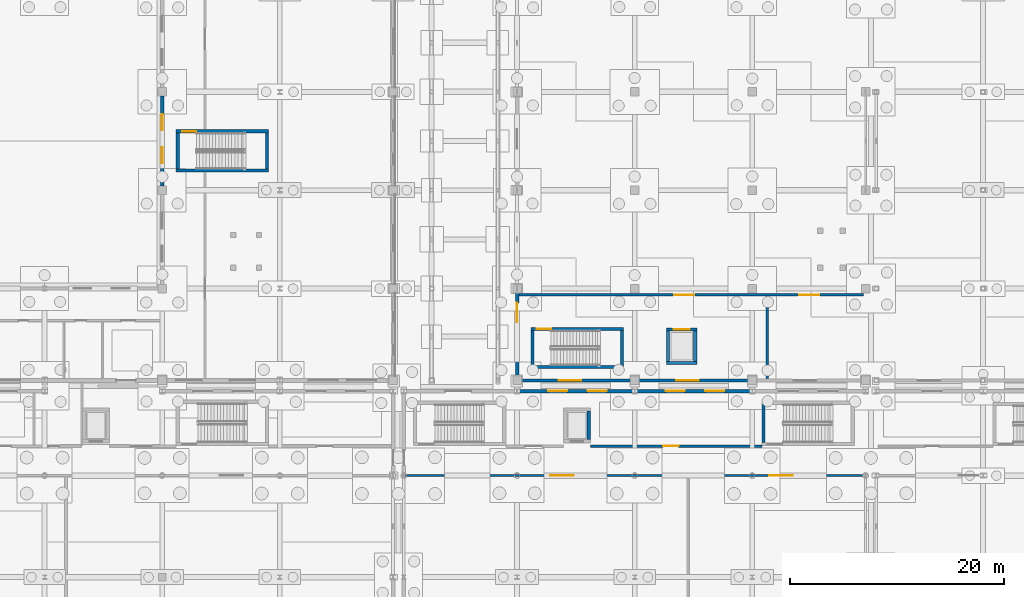
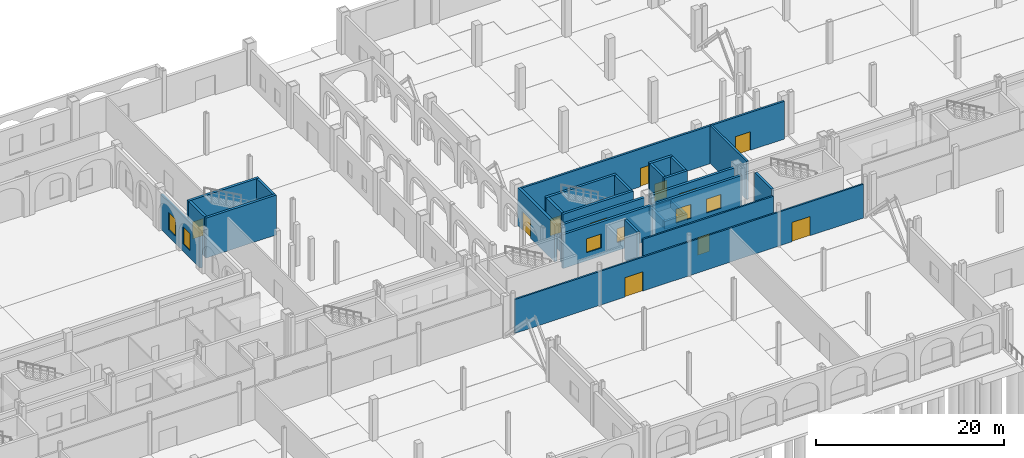
# One storey, part 59 of 83: 28 walls, 9 doors, 8 windows, 17 openings.
"""IFC4 building model written with IfcOpenShell, lengths in metres."""

from ifc_helpers import new_model, si_unit, direction, frame, frame_2d, origin, place, context, subcontext, project, spatial, rectangle, extrude, material, layer, layer_set, type_object, element, fill, save


model = new_model("IFC4")

# Units and contexts
model_context = context("Model", 3, precision=1e-05, world=origin(), true_north=direction((0.0, 1.0)))
body_context = subcontext(model_context, "Body", "Model", "MODEL_VIEW")
ifc_project = project(units=[si_unit("LENGTHUNIT", "METRE"), si_unit("AREAUNIT", "SQUARE_METRE"), si_unit("VOLUMEUNIT", "CUBIC_METRE"), si_unit("PLANEANGLEUNIT", "RADIAN"), si_unit("MASSUNIT", "GRAM", prefix="KILO")], contexts=[model_context])

# Site, building, storey
site_placement = place(None, origin())
site = spatial("IfcSite", under=ifc_project, at=site_placement, CompositionType="ELEMENT")
building_placement = place(site_placement, origin())
building = spatial("IfcBuilding", under=site, at=building_placement, Name="Caurita Quay Ferry Terminal", CompositionType="ELEMENT")
storey_placement = place(building_placement, origin())
storey = spatial("IfcBuildingStorey", under=building, at=storey_placement, Name="L00", CompositionType="ELEMENT", Elevation=0.0)

# Wall, openings, doors
ifc_material_1 = material(Name="Warm-white lime stucco masonry", Category="masonry")
ifc_layer_1 = layer(ifc_material_1, 0.239990234375, Name="Interior partitioning wall 240 mm")
ifc_layer_set_1 = layer_set([ifc_layer_1], Name="Warm-white lime stucco masonry")
wall_type_1 = type_object("IfcWallType", Name="WL-COMP-240", PredefinedType="PARTITIONING", material=ifc_layer_set_1)
wall_1_placement = place(storey_placement, frame((99.360107421875, 79.60009765625, 0.0), z_axis=(0.0, 0.0, 1.0), x_axis=(1.0, 0.0, 0.0)))
wall_1 = element("IfcWall", 1, at=wall_1_placement, inside=storey, type_object=wall_type_1, Name="L00 Interior Partition IW-L00-020", PredefinedType="PARTITIONING", context=body_context, shape_type="SweptSolid", body=[
    extrude(rectangle(XDim=32.239990234375, YDim=0.239990234375, at=frame_2d((16.1201171875, 0.0))), origin(), (0.0, 0.0, 1.0), 4.90771484375),
])
opening_1_placement = place(wall_1_placement, frame((14.5400390625, 0.0, 0.0)))
opening_1 = element("IfcOpeningElement", 2, at=opening_1_placement, cuts=wall_1, Name="Opening PD-01", PredefinedType="OPENING", context=body_context, shape_type="SweptSolid", body=[
    extrude(rectangle(XDim=1.85009765625, YDim=2.39990234375, at=frame_2d((0.925048828125, 1.199951171875))), frame((0.0, 0.1298828125, 0.0), z_axis=(0.0, -1.0, 0.0), x_axis=(1.0, 0.0, 0.0)), (0.0, 0.0, 1.0), 0.260009765625),
])
opening_2_placement = place(wall_1_placement, frame((26.239990234375, 0.0, 0.0)))
opening_2 = element("IfcOpeningElement", 3, at=opening_2_placement, cuts=wall_1, Name="Opening PD-01", PredefinedType="OPENING", context=body_context, shape_type="SweptSolid", body=[
    extrude(rectangle(XDim=1.85009765625, YDim=2.39990234375, at=frame_2d((0.925048828125, 1.199951171875))), frame((0.0, 0.1298828125, 0.0), z_axis=(0.0, -1.0, 0.0), x_axis=(1.0, 0.0, 0.0)), (0.0, 0.0, 1.0), 0.260009765625),
])
ifc_material_2 = material(Name="Anodized aluminium 6063-T6", Category="aluminium")
door_type_1 = type_object("IfcDoorType", Name="DR-PL-1800", OperationType="NOTDEFINED", PredefinedType="DOOR", material=ifc_material_2)
door_1_placement = place(opening_1_placement, origin())
door_1 = element("IfcDoor", 4, at=door_1_placement, inside=storey, type_object=door_type_1, Name="Freight Lift Lobby L00 Door", OperationType="SINGLE_SWING_LEFT", OverallHeight=2.39990234375, OverallWidth=1.85009765625, PredefinedType="DOOR", context=body_context, shape_type="SweptSolid", body=[
    extrude(rectangle(XDim=1.85009765625, YDim=2.39990234375, at=frame_2d((0.925048828125, 1.199951171875))), frame((0.0, 0.02490234375, 0.0), z_axis=(0.0, -1.0, 0.0), x_axis=(1.0, 0.0, 0.0)), (0.0, 0.0, 1.0), 0.050048828125),
])
fill(opening_1, door_1)
door_2_placement = place(opening_2_placement, frame((1.85009765625, 0.0, 0.0), z_axis=(0.0, 0.0, 1.0), x_axis=(-1.0, 0.0, 0.0)))
door_2 = element("IfcDoor", 5, at=door_2_placement, inside=storey, type_object=door_type_1, Name="Freight Loading Dock Hall Door", OperationType="SINGLE_SWING_RIGHT", OverallHeight=2.39990234375, OverallWidth=1.85009765625, PredefinedType="DOOR", context=body_context, shape_type="SweptSolid", body=[
    extrude(rectangle(XDim=1.85009765625, YDim=2.39990234375, at=frame_2d((0.925048828125, 1.199951171875))), frame((0.0, 0.02490234375, 0.0), z_axis=(0.0, -1.0, 0.0), x_axis=(1.0, 0.0, 0.0)), (0.0, 0.0, 1.0), 0.050048828125),
])
fill(opening_2, door_2)

# Walls
wall_2_placement = place(storey_placement, frame((122.60009765625, 71.760009765625, 0.0), z_axis=(0.0, 0.0, 1.0), x_axis=(0.0, 1.0, 0.0)))
element("IfcWall", 6, at=wall_2_placement, inside=storey, type_object=wall_type_1, Name="L00 Interior Partition IW-L00-021", PredefinedType="PARTITIONING", context=body_context, shape_type="SweptSolid", body=[
    extrude(rectangle(XDim=7.715087890625, YDim=0.239990234375, at=frame_2d((3.857421875, 0.0))), origin(), (0.0, 0.0, 1.0), 4.968505859375),
])
ifc_material_3 = material(Name="Reinforced concrete C35/45", Category="concrete")
ifc_layer_2 = layer(ifc_material_3, 0.300048828125, Name="Interior shear wall 300 mm")
ifc_layer_set_2 = layer_set([ifc_layer_2], Name="Reinforced concrete C35/45")
wall_type_2 = type_object("IfcWallType", Name="WL-CORE-300", PredefinedType="SHEAR", material=ifc_layer_set_2)
wall_3_placement = place(storey_placement, frame((67.300048828125, 91.25, 0.0), z_axis=(0.0, 0.0, 1.0), x_axis=(1.0, 0.0, 0.0)))
element("IfcWall", 7, at=wall_3_placement, inside=storey, type_object=wall_type_2, Name="L00 ST-04 Core Wall South", PredefinedType="SHEAR", context=body_context, shape_type="SweptSolid", body=[
    extrude(rectangle(XDim=8.64990234375, YDim=0.300048828125, at=frame_2d((4.324951171875, 0.0))), origin(), (0.0, 0.0, 1.0), 5.179931640625),
])

# Wall, opening, door
wall_4_placement = place(storey_placement, frame((75.949951171875, 94.909912109375, 0.0), z_axis=(0.0, 0.0, 1.0), x_axis=(-1.0, 0.0, 0.0)))
wall_4 = element("IfcWall", 8, at=wall_4_placement, inside=storey, type_object=wall_type_2, Name="L00 ST-04 Core Wall North", PredefinedType="SHEAR", context=body_context, shape_type="SweptSolid", body=[
    extrude(rectangle(XDim=8.64990234375, YDim=0.300048828125, at=frame_2d((4.324951171875, 0.0))), origin(), (0.0, 0.0, 1.0), 5.179931640625),
])
opening_3_placement = place(wall_4_placement, frame((6.75, 0.0, 0.0)))
opening_3 = element("IfcOpeningElement", 9, at=opening_3_placement, cuts=wall_4, Name="Opening SD-01", PredefinedType="OPENING", context=body_context, shape_type="SweptSolid", body=[
    extrude(rectangle(XDim=1.35009765625, YDim=2.199951171875, at=frame_2d((0.675048828125, 1.10009765625))), frame((0.0, 0.159912109375, 0.0), z_axis=(0.0, -1.0, 0.0), x_axis=(1.0, 0.0, 0.0)), (0.0, 0.0, 1.0), 0.320068359375),
])
door_type_2 = type_object("IfcDoorType", Name="DR-ST-1200", OperationType="NOTDEFINED", PredefinedType="DOOR", material=ifc_material_2)
door_3_placement = place(opening_3_placement, frame((1.35009765625, 0.0, 0.0), z_axis=(0.0, 0.0, 1.0), x_axis=(-1.0, 0.0, 0.0)))
door_3 = element("IfcDoor", 10, at=door_3_placement, inside=storey, type_object=door_type_2, Name="L00 Exit Stair ST-04 Fire Door", OperationType="SINGLE_SWING_LEFT", OverallHeight=2.199951171875, OverallWidth=1.35009765625, PredefinedType="DOOR", context=body_context, shape_type="SweptSolid", body=[
    extrude(rectangle(XDim=1.35009765625, YDim=2.199951171875, at=frame_2d((0.675048828125, 1.10009765625))), frame((0.0, 0.02490234375, 0.0), z_axis=(0.0, -1.0, 0.0), x_axis=(1.0, 0.0, 0.0)), (0.0, 0.0, 1.0), 0.050048828125),
])
fill(opening_3, door_3)

# Walls
for number, where, z_axis, x_axis, name in (
    (11, (67.449951171875, 94.760009765625, 0.0), (0.0, 0.0, 1.0), (0.0, -1.0, 0.0), "L00 ST-04 Core Wall West"),
    (12, (75.800048828125, 91.39990234375, 0.0), (0.0, 0.0, 1.0), (0.0, 1.0, 0.0), "L00 ST-04 Core Wall East"),
):
    element("IfcWall", number, at=place(storey_placement, frame(where, z_axis=z_axis, x_axis=x_axis)), inside=storey, type_object=wall_type_2, Name=name, PredefinedType="SHEAR", context=body_context, shape_type="SweptSolid", body=[
        extrude(rectangle(XDim=3.360107421875, YDim=0.300048828125, at=frame_2d((1.68017578125, 0.0))), origin(), (0.0, 0.0, 1.0), 5.179931640625),
    ])
wall_5_placement = place(storey_placement, frame((122.25, 69.360107421875, 0.0), z_axis=(0.0, 0.0, 1.0), x_axis=(0.0, -1.0, 0.0)))
element("IfcWall", 13, at=wall_5_placement, inside=storey, type_object=wall_type_2, Name="L00 ST-09 Core Wall West", PredefinedType="SHEAR", context=body_context, shape_type="SweptSolid", body=[
    extrude(rectangle(XDim=3.56005859375, YDim=0.300048828125, at=frame_2d((1.780029296875, 0.0))), origin(), (0.0, 0.0, 1.0), 5.10009765625),
])
wall_6_placement = place(storey_placement, frame((100.5, 72.85009765625, 0.0), z_axis=(0.0, 0.0, 1.0), x_axis=(1.0, 0.0, 0.0)))
element("IfcWall", 14, at=wall_6_placement, inside=storey, type_object=wall_type_2, Name="L00 ST-12 Core Wall South", PredefinedType="SHEAR", context=body_context, shape_type="SweptSolid", body=[
    extrude(rectangle(XDim=8.64990234375, YDim=0.300048828125, at=frame_2d((4.324951171875, 0.0))), origin(), (0.0, 0.0, 1.0), 5.219970703125),
])

# Wall, opening, door
wall_7_placement = place(storey_placement, frame((109.14990234375, 76.409912109375, 0.0), z_axis=(0.0, 0.0, 1.0), x_axis=(-1.0, 0.0, 0.0)))
wall_7 = element("IfcWall", 15, at=wall_7_placement, inside=storey, type_object=wall_type_2, Name="L00 ST-12 Core Wall North", PredefinedType="SHEAR", context=body_context, shape_type="SweptSolid", body=[
    extrude(rectangle(XDim=8.64990234375, YDim=0.300048828125, at=frame_2d((4.324951171875, 0.0))), origin(), (0.0, 0.0, 1.0), 5.219970703125),
])
opening_4_placement = place(wall_7_placement, frame((6.75, 0.0, 0.0)))
opening_4 = element("IfcOpeningElement", 16, at=opening_4_placement, cuts=wall_7, Name="Opening SD-01", PredefinedType="OPENING", context=body_context, shape_type="SweptSolid", body=[
    extrude(rectangle(XDim=1.35009765625, YDim=2.199951171875, at=frame_2d((0.675048828125, 1.10009765625))), frame((0.0, 0.159912109375, 0.0), z_axis=(0.0, -1.0, 0.0), x_axis=(1.0, 0.0, 0.0)), (0.0, 0.0, 1.0), 0.320068359375),
])
door_4_placement = place(opening_4_placement, frame((1.35009765625, 0.0, 0.0), z_axis=(0.0, 0.0, 1.0), x_axis=(-1.0, 0.0, 0.0)))
door_4 = element("IfcDoor", 17, at=door_4_placement, inside=storey, type_object=door_type_2, Name="L00 Exit Stair ST-12 Fire Door", OperationType="SINGLE_SWING_RIGHT", OverallHeight=2.199951171875, OverallWidth=1.35009765625, PredefinedType="DOOR", context=body_context, shape_type="SweptSolid", body=[
    extrude(rectangle(XDim=1.35009765625, YDim=2.199951171875, at=frame_2d((0.675048828125, 1.10009765625))), frame((0.0, 0.02490234375, 0.0), z_axis=(0.0, -1.0, 0.0), x_axis=(1.0, 0.0, 0.0)), (0.0, 0.0, 1.0), 0.050048828125),
])
fill(opening_4, door_4)

# Walls
for number, where, z_axis, x_axis, name in (
    (18, (100.64990234375, 76.260009765625, 0.0), (0.0, 0.0, 1.0), (0.0, -1.0, 0.0), "L00 ST-12 Core Wall West"),
    (19, (109.0, 73.0, 0.0), (0.0, 0.0, 1.0), (0.0, 1.0, 0.0), "L00 ST-12 Core Wall East"),
):
    element("IfcWall", number, at=place(storey_placement, frame(where, z_axis=z_axis, x_axis=x_axis)), inside=storey, type_object=wall_type_2, Name=name, PredefinedType="SHEAR", context=body_context, shape_type="SweptSolid", body=[
        extrude(rectangle(XDim=3.260009765625, YDim=0.300048828125, at=frame_2d((1.6298828125, 0.0))), origin(), (0.0, 0.0, 1.0), 5.219970703125),
    ])
wall_8_placement = place(storey_placement, frame((105.89501953125, 66.054931640625, 0.0), z_axis=(0.0, 0.0, 1.0), x_axis=(0.0, 1.0, 0.0)))
element("IfcWall", 20, at=wall_8_placement, inside=storey, type_object=wall_type_2, Name="L00 Lift LP-03 Shaft Wall East", PredefinedType="SHEAR", context=body_context, shape_type="SweptSolid", body=[
    extrude(rectangle(XDim=2.690185546875, YDim=0.300048828125, at=frame_2d((1.34521484375, 0.0))), origin(), (0.0, 0.0, 1.0), 5.10009765625),
])
for number, where, z_axis, x_axis, name in (
    (21, (113.179931640625, 73.22998046875, -1.39990234375), (0.0, 0.0, 1.0), (1.0, 0.0, 0.0), "Lift LG-01 Pit Wall S"),
    (22, (116.02001953125, 76.3701171875, -1.39990234375), (0.0, 0.0, 1.0), (-1.0, 0.0, 0.0), "Lift LG-01 Pit Wall N"),
    (23, (113.330078125, 76.219970703125, -1.39990234375), (0.0, 0.0, 1.0), (0.0, -1.0, 0.0), "Lift LG-01 Pit Wall W"),
    (24, (115.8701171875, 73.3798828125, -1.39990234375), (0.0, 0.0, 1.0), (0.0, 1.0, 0.0), "Lift LG-01 Pit Wall E"),
):
    element("IfcWall", number, at=place(storey_placement, frame(where, z_axis=z_axis, x_axis=x_axis)), inside=storey, type_object=wall_type_2, Name=name, PredefinedType="SHEAR", context=body_context, shape_type="SweptSolid", body=[
        extrude(rectangle(XDim=2.840087890625, YDim=0.300048828125, at=frame_2d((1.419921875, 0.0))), origin(), (0.0, 0.0, 1.0), 1.0),
    ])
wall_9_placement = place(storey_placement, frame((113.179931640625, 73.22998046875, 0.0), z_axis=(0.0, 0.0, 1.0), x_axis=(1.0, 0.0, 0.0)))
element("IfcWall", 25, at=wall_9_placement, inside=storey, type_object=wall_type_2, Name="L00 Lift LG-01 Shaft Wall South", PredefinedType="SHEAR", context=body_context, shape_type="SweptSolid", body=[
    extrude(rectangle(XDim=2.840087890625, YDim=0.300048828125, at=frame_2d((1.419921875, 0.0))), origin(), (0.0, 0.0, 1.0), 5.219970703125),
])

# Wall, opening, door
wall_10_placement = place(storey_placement, frame((116.02001953125, 76.3701171875, 0.0), z_axis=(0.0, 0.0, 1.0), x_axis=(-1.0, 0.0, 0.0)))
wall_10 = element("IfcWall", 26, at=wall_10_placement, inside=storey, type_object=wall_type_2, Name="L00 Lift LG-01 Shaft Wall North", PredefinedType="SHEAR", context=body_context, shape_type="SweptSolid", body=[
    extrude(rectangle(XDim=2.840087890625, YDim=0.300048828125, at=frame_2d((1.419921875, 0.0))), origin(), (0.0, 0.0, 1.0), 5.219970703125),
])
opening_5_placement = place(wall_10_placement, frame((0.669921875, 0.0, 0.0)))
opening_5 = element("IfcOpeningElement", 27, at=opening_5_placement, cuts=wall_10, Name="Opening LD-03", PredefinedType="OPENING", context=body_context, shape_type="SweptSolid", body=[
    extrude(rectangle(XDim=1.5, YDim=2.25, at=frame_2d((0.75, 1.125))), frame((0.0, 0.159912109375, 0.0), z_axis=(0.0, -1.0, 0.0), x_axis=(1.0, 0.0, 0.0)), (0.0, 0.0, 1.0), 0.320068359375),
])
ifc_material_4 = material(Name="Bronze architectural metalwork", Category="metal")
door_type_3 = type_object("IfcDoorType", Name="DR-LD-03", OperationType="DOUBLE_DOOR_SLIDING", PredefinedType="DOOR", material=ifc_material_4)
door_5_placement = place(opening_5_placement, frame((1.5, 0.0, 0.0), z_axis=(0.0, 0.0, 1.0), x_axis=(-1.0, 0.0, 0.0)))
door_5 = element("IfcDoor", 28, at=door_5_placement, inside=storey, type_object=door_type_3, Name="L00 Lift LG-01 Sliding Landing Door", OperationType="DOUBLE_DOOR_SLIDING", OverallHeight=2.25, OverallWidth=1.5, PredefinedType="DOOR", context=body_context, shape_type="SweptSolid", body=[
    extrude(rectangle(XDim=1.5, YDim=2.25, at=frame_2d((0.75, 1.125))), frame((0.0, 0.02490234375, 0.0), z_axis=(0.0, -1.0, 0.0), x_axis=(1.0, 0.0, 0.0)), (0.0, 0.0, 1.0), 0.050048828125),
])
fill(opening_5, door_5)

# Walls
for number, where, z_axis, x_axis, name in (
    (29, (113.330078125, 76.219970703125, 0.0), (0.0, 0.0, 1.0), (0.0, -1.0, 0.0), "L00 Lift LG-01 Shaft Wall West"),
    (30, (115.8701171875, 73.3798828125, 0.0), (0.0, 0.0, 1.0), (0.0, 1.0, 0.0), "L00 Lift LG-01 Shaft Wall East"),
):
    element("IfcWall", number, at=place(storey_placement, frame(where, z_axis=z_axis, x_axis=x_axis)), inside=storey, type_object=wall_type_2, Name=name, PredefinedType="SHEAR", context=body_context, shape_type="SweptSolid", body=[
        extrude(rectangle(XDim=2.840087890625, YDim=0.300048828125, at=frame_2d((1.419921875, 0.0))), origin(), (0.0, 0.0, 1.0), 5.219970703125),
    ])

# Wall, openings, doors
ifc_layer_3 = layer(ifc_material_1, 0.199951171875, Name="Interior partitioning wall 200 mm")
ifc_layer_set_3 = layer_set([ifc_layer_3], Name="Warm-white lime stucco masonry")
wall_type_3 = type_object("IfcWallType", Name="WL-CORR-200", PredefinedType="PARTITIONING", material=ifc_layer_set_3)
wall_11_placement = place(storey_placement, frame((88.77490234375, 62.699951171875, 0.0), z_axis=(0.0, 0.0, 1.0), x_axis=(1.0, 0.0, 0.0)))
wall_11 = element("IfcWall", 31, at=wall_11_placement, inside=storey, type_object=wall_type_3, Name="L00 Interior Partition IW-L00-012", PredefinedType="PARTITIONING", context=body_context, shape_type="SweptSolid", body=[
    extrude(rectangle(XDim=42.76611328125, YDim=0.199951171875, at=frame_2d((21.383056640625, 0.0))), origin(), (0.0, 0.0, 1.0), 4.401611328125),
])
opening_6_placement = place(wall_11_placement, frame((13.52490234375, 0.0, 0.0)))
opening_6 = element("IfcOpeningElement", 32, at=opening_6_placement, cuts=wall_11, Name="Opening ID-01", PredefinedType="OPENING", context=body_context, shape_type="SweptSolid", body=[
    extrude(rectangle(XDim=2.199951171875, YDim=2.5, at=frame_2d((1.10009765625, 1.25))), frame((0.0, 0.10986328125, 0.0), z_axis=(0.0, -1.0, 0.0), x_axis=(1.0, 0.0, 0.0)), (0.0, 0.0, 1.0), 0.219970703125),
])
opening_7_placement = place(wall_11_placement, frame((34.02490234375, 0.0, 0.0)))
opening_7 = element("IfcOpeningElement", 33, at=opening_7_placement, cuts=wall_11, Name="Opening ID-01", PredefinedType="OPENING", context=body_context, shape_type="SweptSolid", body=[
    extrude(rectangle(XDim=2.199951171875, YDim=2.5, at=frame_2d((1.10009765625, 1.25))), frame((0.0, 0.10986328125, 0.0), z_axis=(0.0, -1.0, 0.0), x_axis=(1.0, 0.0, 0.0)), (0.0, 0.0, 1.0), 0.219970703125),
])
door_type_4 = type_object("IfcDoorType", Name="DR-HALL-2200", OperationType="NOTDEFINED", PredefinedType="DOOR", material=ifc_material_2)
door_6_placement = place(opening_6_placement, origin())
door_6 = element("IfcDoor", 34, at=door_6_placement, inside=storey, type_object=door_type_4, Name="Baggage Claim Corridor Portal", OperationType="SINGLE_SWING_LEFT", OverallHeight=2.5, OverallWidth=2.199951171875, PredefinedType="DOOR", context=body_context, shape_type="SweptSolid", body=[
    extrude(rectangle(XDim=2.199951171875, YDim=2.5, at=frame_2d((1.10009765625, 1.25))), frame((0.0, 0.02490234375, 0.0), z_axis=(0.0, -1.0, 0.0), x_axis=(1.0, 0.0, 0.0)), (0.0, 0.0, 1.0), 0.050048828125),
])
fill(opening_6, door_6)
door_7_placement = place(opening_7_placement, frame((2.199951171875, 0.0, 0.0), z_axis=(0.0, 0.0, 1.0), x_axis=(-1.0, 0.0, 0.0)))
door_7 = element("IfcDoor", 35, at=door_7_placement, inside=storey, type_object=door_type_4, Name="Customs Hall Corridor Portal", OperationType="SINGLE_SWING_RIGHT", OverallHeight=2.5, OverallWidth=2.199951171875, PredefinedType="DOOR", context=body_context, shape_type="SweptSolid", body=[
    extrude(rectangle(XDim=2.199951171875, YDim=2.5, at=frame_2d((1.10009765625, 1.25))), frame((0.0, 0.02490234375, 0.0), z_axis=(0.0, -1.0, 0.0), x_axis=(1.0, 0.0, 0.0)), (0.0, 0.0, 1.0), 0.050048828125),
])
fill(opening_7, door_7)

# Wall, opening, door
wall_12_placement = place(storey_placement, frame((106.050048828125, 65.449951171875, 0.0), z_axis=(0.0, 0.0, 1.0), x_axis=(1.0, 0.0, 0.0)))
wall_12 = element("IfcWall", 36, at=wall_12_placement, inside=storey, type_object=wall_type_3, Name="L00 Interior Partition IW-L00-015", PredefinedType="PARTITIONING", context=body_context, shape_type="SweptSolid", body=[
    extrude(rectangle(XDim=16.0400390625, YDim=0.199951171875, at=frame_2d((8.02001953125, 0.0))), origin(), (0.0, 0.0, 1.0), 4.48291015625),
])
opening_8_placement = place(wall_12_placement, frame((6.800048828125, 0.0, 0.0)))
opening_8 = element("IfcOpeningElement", 37, at=opening_8_placement, cuts=wall_12, Name="Opening ID-09", PredefinedType="OPENING", context=body_context, shape_type="SweptSolid", body=[
    extrude(rectangle(XDim=1.449951171875, YDim=2.300048828125, at=frame_2d((0.72509765625, 1.14990234375))), frame((0.0, 0.10986328125, 0.0), z_axis=(0.0, -1.0, 0.0), x_axis=(1.0, 0.0, 0.0)), (0.0, 0.0, 1.0), 0.219970703125),
])
door_type_5 = type_object("IfcDoorType", Name="DR-STR-1450", OperationType="NOTDEFINED", PredefinedType="DOOR", material=ifc_material_2)
door_8_placement = place(opening_8_placement, origin())
door_8 = element("IfcDoor", 38, at=door_8_placement, inside=storey, type_object=door_type_5, Name="Biosecurity Quarantine Store Door", OperationType="SINGLE_SWING_LEFT", OverallHeight=2.300048828125, OverallWidth=1.449951171875, PredefinedType="DOOR", context=body_context, shape_type="SweptSolid", body=[
    extrude(rectangle(XDim=1.449951171875, YDim=2.300048828125, at=frame_2d((0.72509765625, 1.14990234375))), frame((0.0, 0.02490234375, 0.0), z_axis=(0.0, -1.0, 0.0), x_axis=(1.0, 0.0, 0.0)), (0.0, 0.0, 1.0), 0.050048828125),
])
fill(opening_8, door_8)

# Wall, openings, windows
ifc_layer_4 = layer(ifc_material_1, 0.31005859375, Name="Exterior solidwall wall 310 mm")
ifc_layer_set_4 = layer_set([ifc_layer_4], Name="Warm-white lime stucco masonry")
wall_type_4 = type_object("IfcWallType", Name="WL-EXT-310", PredefinedType="SOLIDWALL", material=ifc_layer_set_4)
wall_13_placement = place(storey_placement, frame((66.0, 89.798095703125, 0.0), z_axis=(0.0, 0.0, 1.0), x_axis=(0.0, 1.0, 0.0)))
wall_13 = element("IfcWall", 39, at=wall_13_placement, inside=storey, type_object=wall_type_4, Name="L00 Exterior Wall EW-L00-126", PredefinedType="SOLIDWALL", context=body_context, shape_type="SweptSolid", body=[
    extrude(rectangle(XDim=8.40380859375, YDim=0.31005859375, at=frame_2d((4.201904296875, 0.0))), origin(), (0.0, 0.0, 1.0), 4.52490234375),
])
opening_9_placement = place(wall_13_placement, frame((2.10205078125, 0.0, 0.949951171875)))
opening_9 = element("IfcOpeningElement", 40, at=opening_9_placement, cuts=wall_13, Name="Opening W-07", PredefinedType="OPENING", context=body_context, shape_type="SweptSolid", body=[
    extrude(rectangle(XDim=1.5, YDim=2.25, at=frame_2d((0.75, 1.125))), frame((0.0, 0.1650390625, 0.0), z_axis=(0.0, -1.0, 0.0), x_axis=(1.0, 0.0, 0.0)), (0.0, 0.0, 1.0), 0.330078125),
])
opening_10_placement = place(wall_13_placement, frame((5.201904296875, 0.0, 0.949951171875)))
opening_10 = element("IfcOpeningElement", 41, at=opening_10_placement, cuts=wall_13, Name="Opening W-07", PredefinedType="OPENING", context=body_context, shape_type="SweptSolid", body=[
    extrude(rectangle(XDim=1.5, YDim=2.25, at=frame_2d((0.75, 1.125))), frame((0.0, 0.1650390625, 0.0), z_axis=(0.0, -1.0, 0.0), x_axis=(1.0, 0.0, 0.0)), (0.0, 0.0, 1.0), 0.330078125),
])
ifc_material_5 = material(Name="Laminated solar-control insulated glass", Category="glass")
window_type_1 = type_object("IfcWindowType", Name="WIN-SC-1522", PartitioningType="SINGLE_PANEL", PredefinedType="WINDOW", material=ifc_material_5)
window_1_placement = place(opening_9_placement, origin())
window_1 = element("IfcWindow", 42, at=window_1_placement, inside=storey, type_object=window_type_1, Name="L00 Casement Window WN-L00-191", OverallHeight=2.25, OverallWidth=1.5, PartitioningType="SINGLE_PANEL", PredefinedType="WINDOW", context=body_context, shape_type="SweptSolid", body=[
    extrude(rectangle(XDim=1.5, YDim=2.25, at=frame_2d((0.75, 1.125))), frame((0.0, 0.030029296875, 0.0), z_axis=(0.0, -1.0, 0.0), x_axis=(1.0, 0.0, 0.0)), (0.0, 0.0, 1.0), 0.06005859375),
])
fill(opening_9, window_1)
window_2_placement = place(opening_10_placement, origin())
window_2 = element("IfcWindow", 43, at=window_2_placement, inside=storey, type_object=window_type_1, Name="L00 Casement Window WN-L00-192", OverallHeight=2.25, OverallWidth=1.5, PartitioningType="SINGLE_PANEL", PredefinedType="WINDOW", context=body_context, shape_type="SweptSolid", body=[
    extrude(rectangle(XDim=1.5, YDim=2.25, at=frame_2d((0.75, 1.125))), frame((0.0, 0.030029296875, 0.0), z_axis=(0.0, -1.0, 0.0), x_axis=(1.0, 0.0, 0.0)), (0.0, 0.0, 1.0), 0.06005859375),
])
fill(opening_10, window_2)

wall_14_placement = place(storey_placement, frame((110.190673828125, 70.60009765625, 0.0), z_axis=(0.0, 0.0, 1.0), x_axis=(-1.0, 0.0, 0.0)))
wall_14 = element("IfcWall", 44, at=wall_14_placement, inside=storey, type_object=wall_type_4, Name="L00 Exterior Wall EW-L00-177", PredefinedType="SOLIDWALL", context=body_context, shape_type="SweptSolid", body=[
    extrude(rectangle(XDim=10.9814453125, YDim=0.31005859375, at=frame_2d((5.49072265625, 0.0))), origin(), (0.0, 0.0, 1.0), 4.401611328125),
])
opening_11_placement = place(wall_14_placement, frame((2.5908203125, 0.0, 1.050048828125)))
opening_11 = element("IfcOpeningElement", 45, at=opening_11_placement, cuts=wall_14, Name="Opening W-09", PredefinedType="OPENING", context=body_context, shape_type="SweptSolid", body=[
    extrude(rectangle(XDim=1.800048828125, YDim=1.800048828125, at=frame_2d((0.89990234375, 0.89990234375))), frame((0.0, 0.1650390625, 0.0), z_axis=(0.0, -1.0, 0.0), x_axis=(1.0, 0.0, 0.0)), (0.0, 0.0, 1.0), 0.330078125),
])
opening_12_placement = place(wall_14_placement, frame((6.290771484375, 0.0, 1.050048828125)))
opening_12 = element("IfcOpeningElement", 46, at=opening_12_placement, cuts=wall_14, Name="Opening W-09", PredefinedType="OPENING", context=body_context, shape_type="SweptSolid", body=[
    extrude(rectangle(XDim=1.800048828125, YDim=1.800048828125, at=frame_2d((0.89990234375, 0.89990234375))), frame((0.0, 0.1650390625, 0.0), z_axis=(0.0, -1.0, 0.0), x_axis=(1.0, 0.0, 0.0)), (0.0, 0.0, 1.0), 0.330078125),
])
window_type_2 = type_object("IfcWindowType", Name="WIN-SC-1818", PartitioningType="SINGLE_PANEL", PredefinedType="WINDOW", material=ifc_material_5)
window_3_placement = place(opening_11_placement, origin())
window_3 = element("IfcWindow", 47, at=window_3_placement, inside=storey, type_object=window_type_2, Name="L00 Casement Window WN-L00-263", OverallHeight=1.800048828125, OverallWidth=1.800048828125, PartitioningType="SINGLE_PANEL", PredefinedType="WINDOW", context=body_context, shape_type="SweptSolid", body=[
    extrude(rectangle(XDim=1.800048828125, YDim=1.800048828125, at=frame_2d((0.89990234375, 0.89990234375))), frame((0.0, 0.030029296875, 0.0), z_axis=(0.0, -1.0, 0.0), x_axis=(1.0, 0.0, 0.0)), (0.0, 0.0, 1.0), 0.06005859375),
])
fill(opening_11, window_3)
window_4_placement = place(opening_12_placement, origin())
window_4 = element("IfcWindow", 48, at=window_4_placement, inside=storey, type_object=window_type_2, Name="L00 Casement Window WN-L00-264", OverallHeight=1.800048828125, OverallWidth=1.800048828125, PartitioningType="SINGLE_PANEL", PredefinedType="WINDOW", context=body_context, shape_type="SweptSolid", body=[
    extrude(rectangle(XDim=1.800048828125, YDim=1.800048828125, at=frame_2d((0.89990234375, 0.89990234375))), frame((0.0, 0.030029296875, 0.0), z_axis=(0.0, -1.0, 0.0), x_axis=(1.0, 0.0, 0.0)), (0.0, 0.0, 1.0), 0.06005859375),
])
fill(opening_12, window_4)

wall_15_placement = place(storey_placement, frame((121.190673828125, 70.60009765625, 0.0), z_axis=(0.0, 0.0, 1.0), x_axis=(-1.0, 0.0, 0.0)))
wall_15 = element("IfcWall", 49, at=wall_15_placement, inside=storey, type_object=wall_type_4, Name="L00 Exterior Wall EW-L00-178", PredefinedType="SOLIDWALL", context=body_context, shape_type="SweptSolid", body=[
    extrude(rectangle(XDim=10.9814453125, YDim=0.31005859375, at=frame_2d((5.49072265625, 0.0))), origin(), (0.0, 0.0, 1.0), 4.401611328125),
])
opening_13_placement = place(wall_15_placement, frame((2.5908203125, 0.0, 1.050048828125)))
opening_13 = element("IfcOpeningElement", 50, at=opening_13_placement, cuts=wall_15, Name="Opening W-09", PredefinedType="OPENING", context=body_context, shape_type="SweptSolid", body=[
    extrude(rectangle(XDim=1.800048828125, YDim=1.800048828125, at=frame_2d((0.89990234375, 0.89990234375))), frame((0.0, 0.1650390625, 0.0), z_axis=(0.0, -1.0, 0.0), x_axis=(1.0, 0.0, 0.0)), (0.0, 0.0, 1.0), 0.330078125),
])
opening_14_placement = place(wall_15_placement, frame((6.290771484375, 0.0, 1.050048828125)))
opening_14 = element("IfcOpeningElement", 51, at=opening_14_placement, cuts=wall_15, Name="Opening W-09", PredefinedType="OPENING", context=body_context, shape_type="SweptSolid", body=[
    extrude(rectangle(XDim=1.800048828125, YDim=1.800048828125, at=frame_2d((0.89990234375, 0.89990234375))), frame((0.0, 0.1650390625, 0.0), z_axis=(0.0, -1.0, 0.0), x_axis=(1.0, 0.0, 0.0)), (0.0, 0.0, 1.0), 0.330078125),
])
window_5_placement = place(opening_13_placement, origin())
window_5 = element("IfcWindow", 52, at=window_5_placement, inside=storey, type_object=window_type_2, Name="L00 Casement Window WN-L00-265", OverallHeight=1.800048828125, OverallWidth=1.800048828125, PartitioningType="SINGLE_PANEL", PredefinedType="WINDOW", context=body_context, shape_type="SweptSolid", body=[
    extrude(rectangle(XDim=1.800048828125, YDim=1.800048828125, at=frame_2d((0.89990234375, 0.89990234375))), frame((0.0, 0.030029296875, 0.0), z_axis=(0.0, -1.0, 0.0), x_axis=(1.0, 0.0, 0.0)), (0.0, 0.0, 1.0), 0.06005859375),
])
fill(opening_13, window_5)
window_6_placement = place(opening_14_placement, origin())
window_6 = element("IfcWindow", 53, at=window_6_placement, inside=storey, type_object=window_type_2, Name="L00 Casement Window WN-L00-266", OverallHeight=1.800048828125, OverallWidth=1.800048828125, PartitioningType="SINGLE_PANEL", PredefinedType="WINDOW", context=body_context, shape_type="SweptSolid", body=[
    extrude(rectangle(XDim=1.800048828125, YDim=1.800048828125, at=frame_2d((0.89990234375, 0.89990234375))), frame((0.0, 0.030029296875, 0.0), z_axis=(0.0, -1.0, 0.0), x_axis=(1.0, 0.0, 0.0)), (0.0, 0.0, 1.0), 0.06005859375),
])
fill(opening_14, window_6)

# Wall, opening, door
wall_16_placement = place(storey_placement, frame((99.199951171875, 79.802001953125, 0.0), z_axis=(0.0, 0.0, 1.0), x_axis=(0.0, -1.0, 0.0)))
wall_16 = element("IfcWall", 54, at=wall_16_placement, inside=storey, type_object=wall_type_4, Name="L00 Exterior Wall EW-L00-235", PredefinedType="SOLIDWALL", context=body_context, shape_type="SweptSolid", body=[
    extrude(rectangle(XDim=7.803955078125, YDim=0.31005859375, at=frame_2d((3.90185546875, 0.0))), origin(), (0.0, 0.0, 1.0), 4.90771484375),
])
opening_15_placement = place(wall_16_placement, frame((0.951904296875, 0.0, 0.0)))
opening_15 = element("IfcOpeningElement", 55, at=opening_15_placement, cuts=wall_16, Name="Opening ED-03", PredefinedType="OPENING", context=body_context, shape_type="SweptSolid", body=[
    extrude(rectangle(XDim=1.800048828125, YDim=2.39990234375, at=frame_2d((0.89990234375, 1.199951171875))), frame((0.0, 0.1650390625, 0.0), z_axis=(0.0, -1.0, 0.0), x_axis=(1.0, 0.0, 0.0)), (0.0, 0.0, 1.0), 0.330078125),
])
door_type_6 = type_object("IfcDoorType", Name="DR-EXT-1824", OperationType="NOTDEFINED", PredefinedType="DOOR", material=ifc_material_2)
door_9_placement = place(opening_15_placement, frame((1.800048828125, 0.0, 0.0), z_axis=(0.0, 0.0, 1.0), x_axis=(-1.0, 0.0, 0.0)))
door_9 = element("IfcDoor", 56, at=door_9_placement, inside=storey, type_object=door_type_6, Name="Forecourt Concourse Pedestrian Door ED-M3", OperationType="SINGLE_SWING_RIGHT", OverallHeight=2.39990234375, OverallWidth=1.800048828125, PredefinedType="DOOR", context=body_context, shape_type="SweptSolid", body=[
    extrude(rectangle(XDim=1.800048828125, YDim=2.39990234375, at=frame_2d((0.89990234375, 1.199951171875))), frame((0.0, 0.02490234375, 0.0), z_axis=(0.0, -1.0, 0.0), x_axis=(1.0, 0.0, 0.0)), (0.0, 0.0, 1.0), 0.050048828125),
])
fill(opening_15, door_9)

# Wall, opening, window
wall_17_placement = place(storey_placement, frame((99.597900390625, 71.60009765625, 0.0), z_axis=(0.0, 0.0, 1.0), x_axis=(1.0, 0.0, 0.0)))
wall_17 = element("IfcWall", 57, at=wall_17_placement, inside=storey, type_object=wall_type_4, Name="L00 Exterior Wall EW-L00-246", PredefinedType="SOLIDWALL", context=body_context, shape_type="SweptSolid", body=[
    extrude(rectangle(XDim=10.2041015625, YDim=0.31005859375, at=frame_2d((5.10205078125, 0.0))), origin(), (0.0, 0.0, 1.0), 4.90771484375),
])
opening_16_placement = place(wall_17_placement, frame((3.501953125, 0.0, 2.10009765625)))
opening_16 = element("IfcOpeningElement", 58, at=opening_16_placement, cuts=wall_17, Name="Opening W-11", PredefinedType="OPENING", context=body_context, shape_type="SweptSolid", body=[
    extrude(rectangle(XDim=2.10009765625, YDim=1.800048828125, at=frame_2d((1.050048828125, 0.89990234375))), frame((0.0, 0.1650390625, 0.0), z_axis=(0.0, -1.0, 0.0), x_axis=(1.0, 0.0, 0.0)), (0.0, 0.0, 1.0), 0.330078125),
])
window_type_3 = type_object("IfcWindowType", Name="WIN-SC-2118", PartitioningType="SINGLE_PANEL", PredefinedType="WINDOW", material=ifc_material_5)
window_7_placement = place(opening_16_placement, origin())
window_7 = element("IfcWindow", 59, at=window_7_placement, inside=storey, type_object=window_type_3, Name="L00 Casement Window WN-L00-341", OverallHeight=1.800048828125, OverallWidth=2.10009765625, PartitioningType="SINGLE_PANEL", PredefinedType="WINDOW", context=body_context, shape_type="SweptSolid", body=[
    extrude(rectangle(XDim=2.10009765625, YDim=1.800048828125, at=frame_2d((1.050048828125, 0.89990234375))), frame((0.0, 0.030029296875, 0.0), z_axis=(0.0, -1.0, 0.0), x_axis=(1.0, 0.0, 0.0)), (0.0, 0.0, 1.0), 0.06005859375),
])
fill(opening_16, window_7)

wall_18_placement = place(storey_placement, frame((110.597900390625, 71.60009765625, 0.0), z_axis=(0.0, 0.0, 1.0), x_axis=(1.0, 0.0, 0.0)))
wall_18 = element("IfcWall", 60, at=wall_18_placement, inside=storey, type_object=wall_type_4, Name="L00 Exterior Wall EW-L00-247", PredefinedType="SOLIDWALL", context=body_context, shape_type="SweptSolid", body=[
    extrude(rectangle(XDim=10.2041015625, YDim=0.31005859375, at=frame_2d((5.10205078125, 0.0))), origin(), (0.0, 0.0, 1.0), 4.90771484375),
])
opening_17_placement = place(wall_18_placement, frame((3.501953125, 0.0, 2.10009765625)))
opening_17 = element("IfcOpeningElement", 61, at=opening_17_placement, cuts=wall_18, Name="Opening W-11", PredefinedType="OPENING", context=body_context, shape_type="SweptSolid", body=[
    extrude(rectangle(XDim=2.10009765625, YDim=1.800048828125, at=frame_2d((1.050048828125, 0.89990234375))), frame((0.0, 0.1650390625, 0.0), z_axis=(0.0, -1.0, 0.0), x_axis=(1.0, 0.0, 0.0)), (0.0, 0.0, 1.0), 0.330078125),
])
window_8_placement = place(opening_17_placement, origin())
window_8 = element("IfcWindow", 62, at=window_8_placement, inside=storey, type_object=window_type_3, Name="L00 Casement Window WN-L00-342", OverallHeight=1.800048828125, OverallWidth=2.10009765625, PartitioningType="SINGLE_PANEL", PredefinedType="WINDOW", context=body_context, shape_type="SweptSolid", body=[
    extrude(rectangle(XDim=2.10009765625, YDim=1.800048828125, at=frame_2d((1.050048828125, 0.89990234375))), frame((0.0, 0.030029296875, 0.0), z_axis=(0.0, -1.0, 0.0), x_axis=(1.0, 0.0, 0.0)), (0.0, 0.0, 1.0), 0.06005859375),
])
fill(opening_17, window_8)

save(model, "model.ifc")
